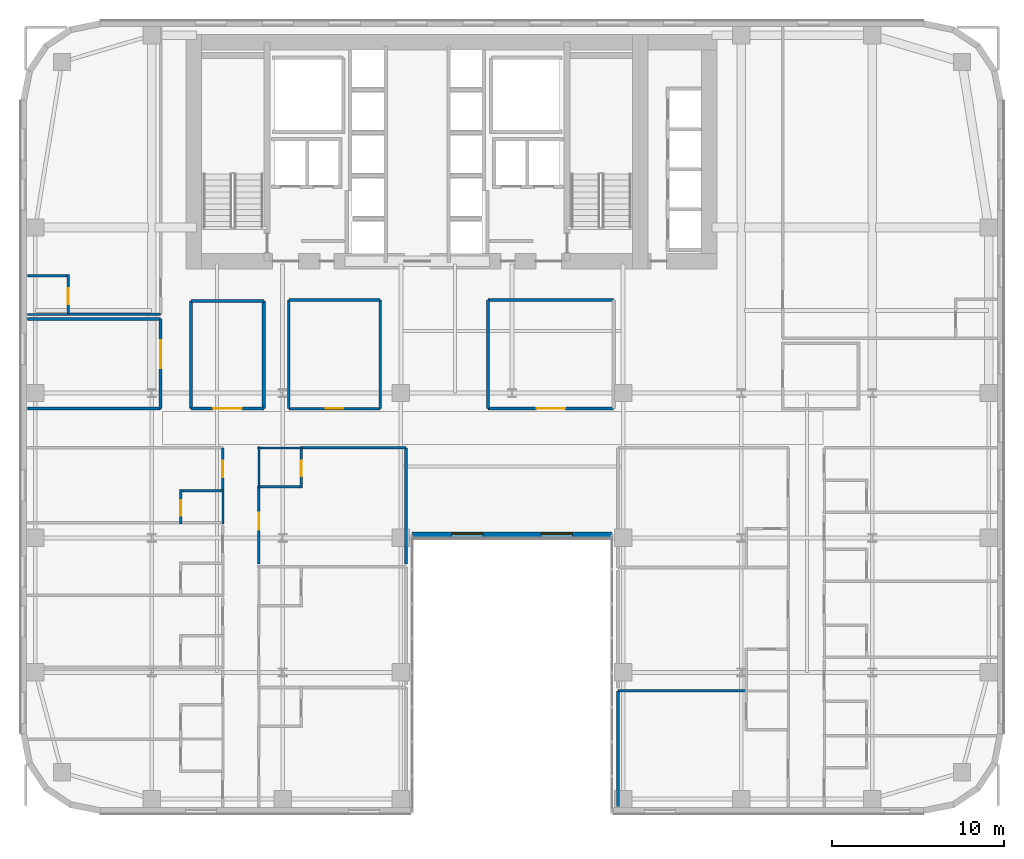
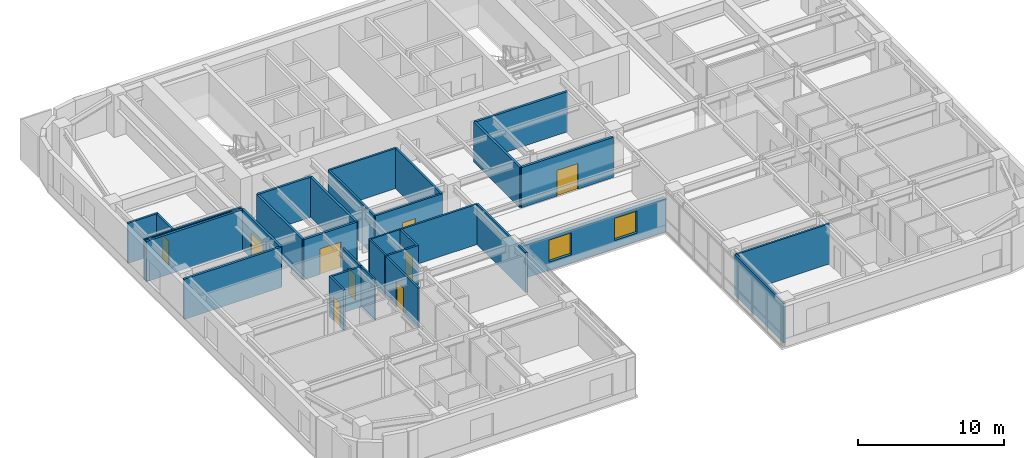
# One storey, part 15 of 25: 32 walls, 9 doors, 2 windows, 11 openings.
"""IFC4 building model written with IfcOpenShell, lengths in metres."""

from ifc_helpers import new_model, si_unit, direction, frame, frame_2d, origin, place, context, subcontext, project, spatial, rectangle, extrude, source, transform, mapped, material, layer, layer_set, type_object, type_shapes, element, fill, save


model = new_model("IFC4")

# Units and contexts
model_context = context("Model", 3, precision=1e-05, world=origin(), true_north=direction((0.0, 1.0)))
body_context = subcontext(model_context, "Body", "Model", "MODEL_VIEW")
ifc_project = project(units=[si_unit("LENGTHUNIT", "METRE"), si_unit("AREAUNIT", "SQUARE_METRE"), si_unit("VOLUMEUNIT", "CUBIC_METRE"), si_unit("PLANEANGLEUNIT", "RADIAN"), si_unit("MASSUNIT", "GRAM", prefix="KILO")], contexts=[model_context])

# Site, building, storey
site_placement = place(None, origin())
site = spatial("IfcSite", under=ifc_project, at=site_placement, CompositionType="ELEMENT")
building_placement = place(site_placement, origin())
building = spatial("IfcBuilding", under=site, at=building_placement, Name="Tolvann Quenvar Hotel", CompositionType="ELEMENT")
storey_placement = place(building_placement, frame((0.0, 0.0, 39.10009765625)))
storey = spatial("IfcBuildingStorey", under=building, at=storey_placement, Name="L08", CompositionType="ELEMENT", Elevation=39.10009765625)

# Wall, openings, windows
ifc_material_1 = material(Name="Kiln-fired red and buff architectural clay brickwork and terracotta masonry", Category="masonry")
ifc_layer_1 = layer(ifc_material_1, 0.35009765625)
ifc_layer_set_1 = layer_set([ifc_layer_1], Name="Kiln-fired red and buff architectural clay brickwork and terracotta masonry")
wall_type_1 = type_object("IfcWallType", Name="WALL_EXT_BRICK_350", PredefinedType="SOLIDWALL", material=ifc_layer_set_1)
wall_1_placement = place(storey_placement, frame((22.7099609375, 16.175048828125, 0.0), z_axis=(0.0, 0.0, 1.0), x_axis=(1.0, 0.0, 0.0)))
wall_1 = element("IfcWall", 1, at=wall_1_placement, inside=storey, type_object=wall_type_1, Name="Exterior Chicago Brick Wall L08-E06", PredefinedType="SOLIDWALL", context=body_context, shape_type="SweptSolid", body=[
    extrude(rectangle(XDim=11.580078125, YDim=0.35009765625, at=frame_2d((5.7900390625, 0.0))), origin(), (0.0, 0.0, 1.0), 2.747802734375),
])
opening_1_placement = place(wall_1_placement, frame((2.294921875, 0.0, 0.679931640625)))
opening_1 = element("IfcOpeningElement", 2, at=opening_1_placement, cuts=wall_1, Name="Opening W-03", PredefinedType="OPENING", context=body_context, shape_type="SweptSolid", body=[
    extrude(rectangle(XDim=1.800048828125, YDim=1.85009765625, at=frame_2d((0.89990234375, 0.925048828125))), frame((0.0, 0.18505859375, 0.0), z_axis=(0.0, -1.0, 0.0), x_axis=(1.0, 0.0, 0.0)), (0.0, 0.0, 1.0), 0.3701171875),
])
opening_2_placement = place(wall_1_placement, frame((7.485107421875, 0.0, 0.679931640625)))
opening_2 = element("IfcOpeningElement", 3, at=opening_2_placement, cuts=wall_1, Name="Opening W-03", PredefinedType="OPENING", context=body_context, shape_type="SweptSolid", body=[
    extrude(rectangle(XDim=1.800048828125, YDim=1.85009765625, at=frame_2d((0.89990234375, 0.925048828125))), frame((0.0, 0.18505859375, 0.0), z_axis=(0.0, -1.0, 0.0), x_axis=(1.0, 0.0, 0.0)), (0.0, 0.0, 1.0), 0.3701171875),
])
ifc_material_2 = material(Name="Thermally broken bronze-anodised aluminium frame with double low-E glazing", Category="aluminium")
window_type = type_object("IfcWindowType", Name="WIN_CHI_1800x2050", PartitioningType="TRIPLE_PANEL_HORIZONTAL", PredefinedType="WINDOW", material=ifc_material_2)
shared_shape_1 = source(origin(), body_context, "Body", "SweptSolid", [
    extrude(rectangle(XDim=1.800048828125, YDim=1.85009765625, at=frame_2d((0.89990234375, 0.925048828125))), frame((0.0, 0.090087890625, 0.0), z_axis=(0.0, -1.0, 0.0), x_axis=(1.0, 0.0, 0.0)), (0.0, 0.0, 1.0), 0.06005859375),
])
type_shapes(window_type, [shared_shape_1])
window_1_placement = place(opening_1_placement, origin())
window_1 = element("IfcWindow", 4, at=window_1_placement, inside=storey, type_object=window_type, Name="Chicago Window W-03 (EW-L08-E06-W01)", OverallHeight=1.85009765625, OverallWidth=1.800048828125, PartitioningType="TRIPLE_PANEL_HORIZONTAL", PredefinedType="WINDOW", context=body_context, shape_type="MappedRepresentation", body=[
    mapped(shared_shape_1, transform((0.0, 0.0, 0.0), x_axis=(1.0, 0.0, 0.0), y_axis=(0.0, 1.0, 0.0), z_axis=(0.0, 0.0, 1.0), scale=1.0)),
])
fill(opening_1, window_1)
window_2_placement = place(opening_2_placement, origin())
window_2 = element("IfcWindow", 5, at=window_2_placement, inside=storey, type_object=window_type, Name="Chicago Window W-03 (EW-L08-E06-W02)", OverallHeight=1.85009765625, OverallWidth=1.800048828125, PartitioningType="TRIPLE_PANEL_HORIZONTAL", PredefinedType="WINDOW", context=body_context, shape_type="MappedRepresentation", body=[
    mapped(shared_shape_1, transform((0.0, 0.0, 0.0), x_axis=(1.0, 0.0, 0.0), y_axis=(0.0, 1.0, 0.0), z_axis=(0.0, 0.0, 1.0), scale=1.0)),
])
fill(opening_2, window_2)

# Wall, opening, door
ifc_material_3 = material(Name="Acoustic twin-stud fire-rated gypsum plasterboard partition")
ifc_layer_2 = layer(ifc_material_3, 0.179931640625)
ifc_layer_set_2 = layer_set([ifc_layer_2], Name="Acoustic twin-stud fire-rated gypsum plasterboard partition")
wall_type_2 = type_object("IfcWallType", Name="WALL_PART_ACOUSTIC_180", PredefinedType="PARTITIONING", material=ifc_layer_set_2)
wall_2_placement = place(storey_placement, frame((8.1201171875, 23.5, 0.0), z_axis=(0.0, 0.0, 1.0), x_axis=(0.0, 1.0, 0.0)))
wall_2 = element("IfcWall", 6, at=wall_2_placement, inside=storey, type_object=wall_type_2, Name="Interior Partition PT-SPC-L08-SAL-ENT", PredefinedType="PARTITIONING", context=body_context, shape_type="SweptSolid", body=[
    extrude(rectangle(XDim=5.199951171875, YDim=0.179931640625, at=frame_2d((2.60009765625, 0.0))), origin(), (0.0, 0.0, 1.0), 3.369873046875),
])
opening_3_placement = place(wall_2_placement, frame((2.324951171875, 0.0, 0.0)))
opening_3 = element("IfcOpeningElement", 7, at=opening_3_placement, cuts=wall_2, Name="Opening AD-01", PredefinedType="OPENING", context=body_context, shape_type="SweptSolid", body=[
    extrude(rectangle(XDim=1.64990234375, YDim=2.14990234375, at=frame_2d((0.824951171875, 1.074951171875))), frame((0.0, 0.10009765625, 0.0), z_axis=(0.0, -1.0, 0.0), x_axis=(1.0, 0.0, 0.0)), (0.0, 0.0, 1.0), 0.199951171875),
])
ifc_material_4 = material(Name="Solid-core American oak acoustic fire door leaf in steel frame", Category="steel")
door_type_1 = type_object("IfcDoorType", Name="DOOR_SALON_1650", OperationType="NOTDEFINED", PredefinedType="DOOR", material=ifc_material_4)
shared_shape_2 = source(origin(), body_context, "Body", "SweptSolid", [
    extrude(rectangle(XDim=1.64990234375, YDim=2.14990234375, at=frame_2d((0.824951171875, 1.074951171875))), frame((0.0, 0.02490234375, 0.0), z_axis=(0.0, -1.0, 0.0), x_axis=(1.0, 0.0, 0.0)), (0.0, 0.0, 1.0), 0.050048828125),
])
type_shapes(door_type_1, [shared_shape_2])
door_1_placement = place(opening_3_placement, origin())
door_1 = element("IfcDoor", 8, at=door_1_placement, inside=storey, type_object=door_type_1, Name="Interior Door DOOR-SPC-L08-SAL", OperationType="DOUBLE_DOOR_SINGLE_SWING", OverallHeight=2.14990234375, OverallWidth=1.64990234375, PredefinedType="DOOR", context=body_context, shape_type="MappedRepresentation", body=[
    mapped(shared_shape_2, transform((0.0, 0.0, 0.0), x_axis=(1.0, 0.0, 0.0), y_axis=(0.0, 1.0, 0.0), z_axis=(0.0, 0.0, 1.0), scale=1.0)),
])
fill(opening_3, door_1)

# Walls
for number, where, z_axis, x_axis, name in (
    (9, (0.405029296875, 23.5, 0.0), (0.0, 0.0, 1.0), (1.0, 0.0, 0.0), "Interior Partition PT-SPC-L08-SAL-S"),
    (10, (0.405029296875, 28.699951171875, 0.0), (0.0, 0.0, 1.0), (1.0, 0.0, 0.0), "Interior Partition PT-SPC-L08-SAL-N"),
):
    element("IfcWall", number, at=place(storey_placement, frame(where, z_axis=z_axis, x_axis=x_axis)), inside=storey, type_object=wall_type_2, Name=name, PredefinedType="PARTITIONING", context=body_context, shape_type="SweptSolid", body=[
        extrude(rectangle(XDim=7.715087890625, YDim=0.179931640625, at=frame_2d((3.857421875, 0.0))), origin(), (0.0, 0.0, 1.0), 3.369873046875),
    ])

# Wall, opening, door
wall_3_placement = place(storey_placement, frame((9.8798828125, 23.5, 0.0), z_axis=(0.0, 0.0, 1.0), x_axis=(1.0, 0.0, 0.0)))
wall_3 = element("IfcWall", 11, at=wall_3_placement, inside=storey, type_object=wall_type_2, Name="Interior Partition PT-SPC-L08-MSP-W-S", PredefinedType="PARTITIONING", context=body_context, shape_type="SweptSolid", body=[
    extrude(rectangle(XDim=4.22021484375, YDim=0.179931640625, at=frame_2d((2.110107421875, 0.0))), origin(), (0.0, 0.0, 1.0), 3.369873046875),
])
opening_4_placement = place(wall_3_placement, frame((1.284912109375, 0.0, 0.0)))
opening_4 = element("IfcOpeningElement", 12, at=opening_4_placement, cuts=wall_3, Name="Opening AD-01", PredefinedType="OPENING", context=body_context, shape_type="SweptSolid", body=[
    extrude(rectangle(XDim=1.64990234375, YDim=2.14990234375, at=frame_2d((0.824951171875, 1.074951171875))), frame((0.0, 0.10009765625, 0.0), z_axis=(0.0, -1.0, 0.0), x_axis=(1.0, 0.0, 0.0)), (0.0, 0.0, 1.0), 0.199951171875),
])
door_2_placement = place(opening_4_placement, origin())
door_2 = element("IfcDoor", 13, at=door_2_placement, inside=storey, type_object=door_type_1, Name="Interior Door DOOR-SPC-L08-MSP-W", OperationType="DOUBLE_DOOR_SINGLE_SWING", OverallHeight=2.14990234375, OverallWidth=1.64990234375, PredefinedType="DOOR", context=body_context, shape_type="MappedRepresentation", body=[
    mapped(shared_shape_2, transform((0.0, 0.0, 0.0), x_axis=(1.0, 0.0, 0.0), y_axis=(0.0, 1.0, 0.0), z_axis=(0.0, 0.0, 1.0), scale=1.0)),
])
fill(opening_4, door_2)

# Walls
wall_4_placement = place(storey_placement, frame((9.8798828125, 29.75, 0.0), z_axis=(0.0, 0.0, 1.0), x_axis=(1.0, 0.0, 0.0)))
element("IfcWall", 14, at=wall_4_placement, inside=storey, type_object=wall_type_2, Name="Interior Partition PT-SPC-L08-MSP-W-N", PredefinedType="PARTITIONING", context=body_context, shape_type="SweptSolid", body=[
    extrude(rectangle(XDim=4.22021484375, YDim=0.179931640625, at=frame_2d((2.110107421875, 0.0))), origin(), (0.0, 0.0, 1.0), 3.369873046875),
])
for number, where, z_axis, x_axis, name in (
    (15, (9.8798828125, 23.5, 0.0), (0.0, 0.0, 1.0), (0.0, 1.0, 0.0), "Interior Partition PT-SPC-L08-MSP-W-W"),
    (16, (14.10009765625, 23.5, 0.0), (0.0, 0.0, 1.0), (0.0, 1.0, 0.0), "Interior Partition PT-SPC-L08-MSP-W-E"),
):
    element("IfcWall", number, at=place(storey_placement, frame(where, z_axis=z_axis, x_axis=x_axis)), inside=storey, type_object=wall_type_2, Name=name, PredefinedType="PARTITIONING", context=body_context, shape_type="SweptSolid", body=[
        extrude(rectangle(XDim=6.25, YDim=0.179931640625, at=frame_2d((3.125, 0.0))), origin(), (0.0, 0.0, 1.0), 3.369873046875),
    ])

# Wall, opening, door
wall_5_placement = place(storey_placement, frame((27.10009765625, 23.5, 0.0), z_axis=(0.0, 0.0, 1.0), x_axis=(1.0, 0.0, 0.0)))
wall_5 = element("IfcWall", 17, at=wall_5_placement, inside=storey, type_object=wall_type_2, Name="Interior Partition PT-SPC-L08-MSP-C-S", PredefinedType="PARTITIONING", context=body_context, shape_type="SweptSolid", body=[
    extrude(rectangle(XDim=7.2998046875, YDim=0.179931640625, at=frame_2d((3.64990234375, 0.0))), origin(), (0.0, 0.0, 1.0), 3.369873046875),
])
opening_5_placement = place(wall_5_placement, frame((2.824951171875, 0.0, 0.0)))
opening_5 = element("IfcOpeningElement", 18, at=opening_5_placement, cuts=wall_5, Name="Opening AD-01", PredefinedType="OPENING", context=body_context, shape_type="SweptSolid", body=[
    extrude(rectangle(XDim=1.64990234375, YDim=2.14990234375, at=frame_2d((0.824951171875, 1.074951171875))), frame((0.0, 0.10009765625, 0.0), z_axis=(0.0, -1.0, 0.0), x_axis=(1.0, 0.0, 0.0)), (0.0, 0.0, 1.0), 0.199951171875),
])
door_3_placement = place(opening_5_placement, origin())
door_3 = element("IfcDoor", 19, at=door_3_placement, inside=storey, type_object=door_type_1, Name="Interior Door DOOR-SPC-L08-MSP-C", OperationType="DOUBLE_DOOR_SINGLE_SWING", OverallHeight=2.14990234375, OverallWidth=1.64990234375, PredefinedType="DOOR", context=body_context, shape_type="MappedRepresentation", body=[
    mapped(shared_shape_2, transform((0.0, 0.0, 0.0), x_axis=(1.0, 0.0, 0.0), y_axis=(0.0, 1.0, 0.0), z_axis=(0.0, 0.0, 1.0), scale=1.0)),
])
fill(opening_5, door_3)

# Walls
wall_6_placement = place(storey_placement, frame((27.10009765625, 29.800048828125, 0.0), z_axis=(0.0, 0.0, 1.0), x_axis=(1.0, 0.0, 0.0)))
element("IfcWall", 20, at=wall_6_placement, inside=storey, type_object=wall_type_2, Name="Interior Partition PT-SPC-L08-MSP-C-N", PredefinedType="PARTITIONING", context=body_context, shape_type="SweptSolid", body=[
    extrude(rectangle(XDim=7.2998046875, YDim=0.179931640625, at=frame_2d((3.64990234375, 0.0))), origin(), (0.0, 0.0, 1.0), 3.369873046875),
])
wall_7_placement = place(storey_placement, frame((27.10009765625, 23.5, 0.0), z_axis=(0.0, 0.0, 1.0), x_axis=(0.0, 1.0, 0.0)))
element("IfcWall", 21, at=wall_7_placement, inside=storey, type_object=wall_type_2, Name="Interior Partition PT-SPC-L08-MSP-C-W", PredefinedType="PARTITIONING", context=body_context, shape_type="SweptSolid", body=[
    extrude(rectangle(XDim=6.300048828125, YDim=0.179931640625, at=frame_2d((3.14990234375, 0.0))), origin(), (0.0, 0.0, 1.0), 3.369873046875),
])
ifc_material_5 = material(Name="Moisture-resistant acoustic plumbing wall assembly")
ifc_layer_3 = layer(ifc_material_5, 0.1201171875)
ifc_layer_set_3 = layer_set([ifc_layer_3], Name="Moisture-resistant acoustic plumbing wall assembly")
wall_type_3 = type_object("IfcWallType", Name="WALL_PART_BATH_120", PredefinedType="PLUMBINGWALL", material=ifc_layer_set_3)
wall_8_placement = place(storey_placement, frame((11.72998046875, 16.81005859375, 0.0), z_axis=(0.0, 0.0, 1.0), x_axis=(0.0, 1.0, 0.0)))
element("IfcWall", 22, at=wall_8_placement, inside=storey, type_object=wall_type_3, Name="Non-Rated Plumbing Partition PT-SPC-L08-ENS-WO05-E", PredefinedType="PLUMBINGWALL", context=body_context, shape_type="SweptSolid", body=[
    extrude(rectangle(XDim=1.989990234375, YDim=0.1201171875, at=frame_2d((0.9951171875, 0.0))), origin(), (0.0, 0.0, 1.0), 3.369873046875),
])
wall_9_placement = place(storey_placement, frame((13.75, 21.219970703125, 0.0), z_axis=(0.0, 0.0, 1.0), x_axis=(1.0, 0.0, 0.0)))
element("IfcWall", 23, at=wall_9_placement, inside=storey, type_object=wall_type_3, Name="Non-Rated Plumbing Partition PT-SPC-L08-ENS-WI03-N", PredefinedType="PLUMBINGWALL", context=body_context, shape_type="SweptSolid", body=[
    extrude(rectangle(XDim=2.590087890625, YDim=0.1201171875, at=frame_2d((1.294921875, 0.0))), origin(), (0.0, 0.0, 1.0), 3.369873046875),
])
wall_10_placement = place(storey_placement, frame((13.820068359375, 18.89990234375, 0.0), z_axis=(0.0, 0.0, 1.0), x_axis=(0.0, 1.0, 0.0)))
element("IfcWall", 24, at=wall_10_placement, inside=storey, type_object=wall_type_3, Name="Non-Rated Plumbing Partition PT-SPC-L08-ENS-WI03-W", PredefinedType="PLUMBINGWALL", context=body_context, shape_type="SweptSolid", body=[
    extrude(rectangle(XDim=2.39013671875, YDim=0.1201171875, at=frame_2d((1.195068359375, 0.0))), origin(), (0.0, 0.0, 1.0), 3.369873046875),
])
wall_11_placement = place(storey_placement, frame((0.405029296875, 28.9599609375, 0.0), z_axis=(0.0, 0.0, 1.0), x_axis=(1.0, 0.0, 0.0)))
element("IfcWall", 25, at=wall_11_placement, inside=storey, type_object=wall_type_3, Name="Non-Rated Plumbing Partition PT-SPC-L08-ENS-NW01-S", PredefinedType="PLUMBINGWALL", context=body_context, shape_type="SweptSolid", body=[
    extrude(rectangle(XDim=2.4150390625, YDim=0.1201171875, at=frame_2d((1.20751953125, 0.0))), origin(), (0.0, 0.0, 1.0), 3.369873046875),
])

# Wall, opening, door
ifc_layer_4 = layer(ifc_material_3, 0.14990234375)
ifc_layer_set_4 = layer_set([ifc_layer_4], Name="Acoustic twin-stud fire-rated gypsum plasterboard partition")
wall_type_4 = type_object("IfcWallType", Name="WALL_PART_SUITE_150", PredefinedType="PARTITIONING", material=ifc_layer_set_4)
wall_12_placement = place(storey_placement, frame((9.280029296875, 16.81005859375, 0.0), z_axis=(0.0, 0.0, 1.0), x_axis=(0.0, 1.0, 0.0)))
wall_12 = element("IfcWall", 26, at=wall_12_placement, inside=storey, type_object=wall_type_4, Name="Interior Partition PT-SPC-L08-ENS-WO05-ENT", PredefinedType="PARTITIONING", context=body_context, shape_type="SweptSolid", body=[
    extrude(rectangle(XDim=1.989990234375, YDim=0.14990234375, at=frame_2d((0.9951171875, 0.0))), origin(), (0.0, 0.0, 1.0), 3.369873046875),
])
opening_6_placement = place(wall_12_placement, frame((0.465087890625, 0.0, 0.0)))
opening_6 = element("IfcOpeningElement", 27, at=opening_6_placement, cuts=wall_12, Name="Opening WD-01", PredefinedType="OPENING", context=body_context, shape_type="SweptSolid", body=[
    extrude(rectangle(XDim=0.919921875, YDim=2.010009765625, at=frame_2d((0.4599609375, 1.0048828125))), frame((0.0, 0.0849609375, 0.0), z_axis=(0.0, -1.0, 0.0), x_axis=(1.0, 0.0, 0.0)), (0.0, 0.0, 1.0), 0.169921875),
])
door_type_2 = type_object("IfcDoorType", Name="DOOR_WC_920", OperationType="NOTDEFINED", PredefinedType="DOOR", material=ifc_material_4)
shared_shape_3 = source(origin(), body_context, "Body", "SweptSolid", [
    extrude(rectangle(XDim=0.919921875, YDim=2.010009765625, at=frame_2d((0.4599609375, 1.0048828125))), frame((0.0, 0.02490234375, 0.0), z_axis=(0.0, -1.0, 0.0), x_axis=(1.0, 0.0, 0.0)), (0.0, 0.0, 1.0), 0.050048828125),
])
type_shapes(door_type_2, [shared_shape_3])
door_4_placement = place(opening_6_placement, origin())
door_4 = element("IfcDoor", 28, at=door_4_placement, inside=storey, type_object=door_type_2, Name="Interior Door DOOR-SPC-L08-ENS-WO05", OperationType="SINGLE_SWING_RIGHT", OverallHeight=2.010009765625, OverallWidth=0.919921875, PredefinedType="DOOR", context=body_context, shape_type="MappedRepresentation", body=[
    mapped(shared_shape_3, transform((0.0, 0.0, 0.0), x_axis=(1.0, 0.0, 0.0), y_axis=(0.0, 1.0, 0.0), z_axis=(0.0, 0.0, 1.0), scale=1.0)),
])
fill(opening_6, door_4)

# Wall
wall_13_placement = place(storey_placement, frame((9.2099609375, 18.72998046875, 0.0), z_axis=(0.0, 0.0, 1.0), x_axis=(1.0, 0.0, 0.0)))
element("IfcWall", 29, at=wall_13_placement, inside=storey, type_object=wall_type_4, Name="Interior Partition PT-SPC-L08-ENS-WO05-N", PredefinedType="PARTITIONING", context=body_context, shape_type="SweptSolid", body=[
    extrude(rectangle(XDim=2.590087890625, YDim=0.14990234375, at=frame_2d((1.294921875, 0.0))), origin(), (0.0, 0.0, 1.0), 3.369873046875),
])

# Wall, opening, door
wall_14_placement = place(storey_placement, frame((16.27001953125, 18.89990234375, 0.0), z_axis=(0.0, 0.0, 1.0), x_axis=(0.0, 1.0, 0.0)))
wall_14 = element("IfcWall", 30, at=wall_14_placement, inside=storey, type_object=wall_type_4, Name="Interior Partition PT-SPC-L08-ENS-WI03-ENT", PredefinedType="PARTITIONING", context=body_context, shape_type="SweptSolid", body=[
    extrude(rectangle(XDim=2.39013671875, YDim=0.14990234375, at=frame_2d((1.195068359375, 0.0))), origin(), (0.0, 0.0, 1.0), 3.369873046875),
])
opening_7_placement = place(wall_14_placement, frame((0.6650390625, 0.0, 0.0)))
opening_7 = element("IfcOpeningElement", 31, at=opening_7_placement, cuts=wall_14, Name="Opening WD-01", PredefinedType="OPENING", context=body_context, shape_type="SweptSolid", body=[
    extrude(rectangle(XDim=0.919921875, YDim=2.010009765625, at=frame_2d((0.4599609375, 1.0048828125))), frame((0.0, 0.0849609375, 0.0), z_axis=(0.0, -1.0, 0.0), x_axis=(1.0, 0.0, 0.0)), (0.0, 0.0, 1.0), 0.169921875),
])
door_5_placement = place(opening_7_placement, origin())
door_5 = element("IfcDoor", 32, at=door_5_placement, inside=storey, type_object=door_type_2, Name="Interior Door DOOR-SPC-L08-ENS-WI03", OperationType="SINGLE_SWING_LEFT", OverallHeight=2.010009765625, OverallWidth=0.919921875, PredefinedType="DOOR", context=body_context, shape_type="MappedRepresentation", body=[
    mapped(shared_shape_3, transform((0.0, 0.0, 0.0), x_axis=(1.0, 0.0, 0.0), y_axis=(0.0, 1.0, 0.0), z_axis=(0.0, 0.0, 1.0), scale=1.0)),
])
fill(opening_7, door_5)

# Wall
wall_15_placement = place(storey_placement, frame((13.75, 18.969970703125, 0.0), z_axis=(0.0, 0.0, 1.0), x_axis=(1.0, 0.0, 0.0)))
element("IfcWall", 33, at=wall_15_placement, inside=storey, type_object=wall_type_4, Name="Interior Partition PT-SPC-L08-ENS-WI03-S", PredefinedType="PARTITIONING", context=body_context, shape_type="SweptSolid", body=[
    extrude(rectangle(XDim=2.590087890625, YDim=0.14990234375, at=frame_2d((1.294921875, 0.0))), origin(), (0.0, 0.0, 1.0), 3.369873046875),
])

# Wall, opening, door
wall_16_placement = place(storey_placement, frame((2.75, 28.889892578125, 0.0), z_axis=(0.0, 0.0, 1.0), x_axis=(0.0, 1.0, 0.0)))
wall_16 = element("IfcWall", 34, at=wall_16_placement, inside=storey, type_object=wall_type_4, Name="Interior Partition PT-SPC-L08-ENS-NW01-ENT", PredefinedType="PARTITIONING", context=body_context, shape_type="SweptSolid", body=[
    extrude(rectangle(XDim=2.39013671875, YDim=0.14990234375, at=frame_2d((1.195068359375, 0.0))), origin(), (0.0, 0.0, 1.0), 3.369873046875),
])
opening_8_placement = place(wall_16_placement, frame((0.6650390625, 0.0, 0.0)))
opening_8 = element("IfcOpeningElement", 35, at=opening_8_placement, cuts=wall_16, Name="Opening WD-01", PredefinedType="OPENING", context=body_context, shape_type="SweptSolid", body=[
    extrude(rectangle(XDim=0.919921875, YDim=2.010009765625, at=frame_2d((0.4599609375, 1.0048828125))), frame((0.0, 0.0849609375, 0.0), z_axis=(0.0, -1.0, 0.0), x_axis=(1.0, 0.0, 0.0)), (0.0, 0.0, 1.0), 0.169921875),
])
door_6_placement = place(opening_8_placement, origin())
door_6 = element("IfcDoor", 36, at=door_6_placement, inside=storey, type_object=door_type_2, Name="Interior Door DOOR-SPC-L08-ENS-NW01", OperationType="SINGLE_SWING_RIGHT", OverallHeight=2.010009765625, OverallWidth=0.919921875, PredefinedType="DOOR", context=body_context, shape_type="MappedRepresentation", body=[
    mapped(shared_shape_3, transform((0.0, 0.0, 0.0), x_axis=(1.0, 0.0, 0.0), y_axis=(0.0, 1.0, 0.0), z_axis=(0.0, 0.0, 1.0), scale=1.0)),
])
fill(opening_8, door_6)

# Wall
wall_17_placement = place(storey_placement, frame((0.405029296875, 31.2099609375, 0.0), z_axis=(0.0, 0.0, 1.0), x_axis=(1.0, 0.0, 0.0)))
element("IfcWall", 37, at=wall_17_placement, inside=storey, type_object=wall_type_4, Name="Interior Partition PT-SPC-L08-ENS-NW01-N", PredefinedType="PARTITIONING", context=body_context, shape_type="SweptSolid", body=[
    extrude(rectangle(XDim=2.4150390625, YDim=0.14990234375, at=frame_2d((1.20751953125, 0.0))), origin(), (0.0, 0.0, 1.0), 3.369873046875),
])

# Wall, opening, door
wall_18_placement = place(storey_placement, frame((11.72998046875, 18.81005859375, 0.0), z_axis=(0.0, 0.0, 1.0), x_axis=(0.0, 1.0, 0.0)))
wall_18 = element("IfcWall", 38, at=wall_18_placement, inside=storey, type_object=wall_type_4, Name="Interior Partition PT-SPC-L08-RM-WO05-ENT", PredefinedType="PARTITIONING", context=body_context, shape_type="SweptSolid", body=[
    extrude(rectangle(XDim=2.409912109375, YDim=0.14990234375, at=frame_2d((1.205078125, 0.0))), origin(), (0.0, 0.0, 1.0), 3.369873046875),
])
opening_9_placement = place(wall_18_placement, frame((0.695068359375, 0.0, 0.0)))
opening_9 = element("IfcOpeningElement", 39, at=opening_9_placement, cuts=wall_18, Name="Opening SD-01", PredefinedType="OPENING", context=body_context, shape_type="SweptSolid", body=[
    extrude(rectangle(XDim=0.97998046875, YDim=2.1201171875, at=frame_2d((0.489990234375, 1.06005859375))), frame((0.0, 0.0849609375, 0.0), z_axis=(0.0, -1.0, 0.0), x_axis=(1.0, 0.0, 0.0)), (0.0, 0.0, 1.0), 0.169921875),
])
door_type_3 = type_object("IfcDoorType", Name="DOOR_SUITE_980", OperationType="NOTDEFINED", PredefinedType="DOOR", material=ifc_material_4)
shared_shape_4 = source(origin(), body_context, "Body", "SweptSolid", [
    extrude(rectangle(XDim=0.97998046875, YDim=2.1201171875, at=frame_2d((0.489990234375, 1.06005859375))), frame((0.0, 0.02490234375, 0.0), z_axis=(0.0, -1.0, 0.0), x_axis=(1.0, 0.0, 0.0)), (0.0, 0.0, 1.0), 0.050048828125),
])
type_shapes(door_type_3, [shared_shape_4])
door_7_placement = place(opening_9_placement, origin())
door_7 = element("IfcDoor", 40, at=door_7_placement, inside=storey, type_object=door_type_3, Name="Interior Door DOOR-SPC-L08-RM-WO05", OperationType="SINGLE_SWING_RIGHT", OverallHeight=2.1201171875, OverallWidth=0.97998046875, PredefinedType="DOOR", context=body_context, shape_type="MappedRepresentation", body=[
    mapped(shared_shape_4, transform((0.0, 0.0, 0.0), x_axis=(1.0, 0.0, 0.0), y_axis=(0.0, 1.0, 0.0), z_axis=(0.0, 0.0, 1.0), scale=1.0)),
])
fill(opening_9, door_7)

wall_19_placement = place(storey_placement, frame((13.820068359375, 14.47998046875, 0.0), z_axis=(0.0, 0.0, 1.0), x_axis=(0.0, 1.0, 0.0)))
wall_19 = element("IfcWall", 41, at=wall_19_placement, inside=storey, type_object=wall_type_4, Name="Interior Partition PT-SPC-L08-RM-WI03-ENT", PredefinedType="PARTITIONING", context=body_context, shape_type="SweptSolid", body=[
    extrude(rectangle(XDim=4.409912109375, YDim=0.14990234375, at=frame_2d((2.205078125, 0.0))), origin(), (0.0, 0.0, 1.0), 3.369873046875),
])
opening_10_placement = place(wall_19_placement, frame((1.9951171875, 0.0, 0.0)))
opening_10 = element("IfcOpeningElement", 42, at=opening_10_placement, cuts=wall_19, Name="Opening SD-01", PredefinedType="OPENING", context=body_context, shape_type="SweptSolid", body=[
    extrude(rectangle(XDim=0.97998046875, YDim=2.1201171875, at=frame_2d((0.489990234375, 1.06005859375))), frame((0.0, 0.0849609375, 0.0), z_axis=(0.0, -1.0, 0.0), x_axis=(1.0, 0.0, 0.0)), (0.0, 0.0, 1.0), 0.169921875),
])
door_8_placement = place(opening_10_placement, origin())
door_8 = element("IfcDoor", 43, at=door_8_placement, inside=storey, type_object=door_type_3, Name="Interior Door DOOR-SPC-L08-RM-WI03", OperationType="SINGLE_SWING_LEFT", OverallHeight=2.1201171875, OverallWidth=0.97998046875, PredefinedType="DOOR", context=body_context, shape_type="MappedRepresentation", body=[
    mapped(shared_shape_4, transform((0.0, 0.0, 0.0), x_axis=(1.0, 0.0, 0.0), y_axis=(0.0, 1.0, 0.0), z_axis=(0.0, 0.0, 1.0), scale=1.0)),
])
fill(opening_10, door_8)

# Walls
wall_20_placement = place(storey_placement, frame((22.35009765625, 14.47998046875, 0.0), z_axis=(0.0, 0.0, 1.0), x_axis=(0.0, 1.0, 0.0)))
element("IfcWall", 44, at=wall_20_placement, inside=storey, type_object=wall_type_4, Name="Interior Partition PT-SPC-L08-RM-WI03-E2", PredefinedType="PARTITIONING", context=body_context, shape_type="SweptSolid", body=[
    extrude(rectangle(XDim=6.739990234375, YDim=0.14990234375, at=frame_2d((3.3701171875, 0.0))), origin(), (0.0, 0.0, 1.0), 3.369873046875),
])
wall_21_placement = place(storey_placement, frame((16.2900390625, 21.219970703125, 0.0), z_axis=(0.0, 0.0, 1.0), x_axis=(1.0, 0.0, 0.0)))
element("IfcWall", 45, at=wall_21_placement, inside=storey, type_object=wall_type_4, Name="Interior Partition PT-SPC-L08-RM-WI03-E3", PredefinedType="PARTITIONING", context=body_context, shape_type="SweptSolid", body=[
    extrude(rectangle(XDim=6.06005859375, YDim=0.14990234375, at=frame_2d((3.030029296875, 0.0))), origin(), (0.0, 0.0, 1.0), 3.369873046875),
])
wall_22_placement = place(storey_placement, frame((34.64990234375, 7.1201171875, 0.0), z_axis=(0.0, 0.0, 1.0), x_axis=(1.0, 0.0, 0.0)))
element("IfcWall", 46, at=wall_22_placement, inside=storey, type_object=wall_type_4, Name="Interior Partition PT-SPC-L08-RM-EI01-E5", PredefinedType="PARTITIONING", context=body_context, shape_type="SweptSolid", body=[
    extrude(rectangle(XDim=7.41015625, YDim=0.14990234375, at=frame_2d((3.705078125, 0.0))), origin(), (0.0, 0.0, 1.0), 3.369873046875),
])
wall_23_placement = place(storey_placement, frame((34.64990234375, 0.405029296875, 0.0), z_axis=(0.0, 0.0, 1.0), x_axis=(0.0, 1.0, 0.0)))
element("IfcWall", 47, at=wall_23_placement, inside=storey, type_object=wall_type_4, Name="Interior Partition PT-SPC-L08-RM-EI01-E6", PredefinedType="PARTITIONING", context=body_context, shape_type="SweptSolid", body=[
    extrude(rectangle(XDim=6.715087890625, YDim=0.14990234375, at=frame_2d((3.357421875, 0.0))), origin(), (0.0, 0.0, 1.0), 3.369873046875),
])
wall_24_placement = place(storey_placement, frame((2.77001953125, 28.9599609375, 0.0), z_axis=(0.0, 0.0, 1.0), x_axis=(1.0, 0.0, 0.0)))
element("IfcWall", 48, at=wall_24_placement, inside=storey, type_object=wall_type_4, Name="Interior Partition PT-SPC-L08-RM-NW01-E3", PredefinedType="PARTITIONING", context=body_context, shape_type="SweptSolid", body=[
    extrude(rectangle(XDim=5.35009765625, YDim=0.14990234375, at=frame_2d((2.675048828125, 0.0))), origin(), (0.0, 0.0, 1.0), 3.369873046875),
])

# Wall, opening, door
wall_25_placement = place(storey_placement, frame((15.550048828125, 23.5, 0.0), z_axis=(0.0, 0.0, 1.0), x_axis=(1.0, 0.0, 0.0)))
wall_25 = element("IfcWall", 49, at=wall_25_placement, inside=storey, type_object=wall_type_4, Name="Interior Partition PT-SPC-L08-MSP-N-S", PredefinedType="PARTITIONING", context=body_context, shape_type="SweptSolid", body=[
    extrude(rectangle(XDim=5.300048828125, YDim=0.14990234375, at=frame_2d((2.64990234375, 0.0))), origin(), (0.0, 0.0, 1.0), 3.369873046875),
])
opening_11_placement = place(wall_25_placement, frame((2.139892578125, 0.0, 0.0)))
opening_11 = element("IfcOpeningElement", 50, at=opening_11_placement, cuts=wall_25, Name="Opening HD-01", PredefinedType="OPENING", context=body_context, shape_type="SweptSolid", body=[
    extrude(rectangle(XDim=1.02001953125, YDim=2.030029296875, at=frame_2d((0.510009765625, 1.01513671875))), frame((0.0, 0.0849609375, 0.0), z_axis=(0.0, -1.0, 0.0), x_axis=(1.0, 0.0, 0.0)), (0.0, 0.0, 1.0), 0.169921875),
])
ifc_material_6 = material(Name="Pressed galvanised steel fire-rated door set", Category="steel")
door_type_4 = type_object("IfcDoorType", Name="DOOR_BOH_1020", OperationType="NOTDEFINED", PredefinedType="DOOR", material=ifc_material_6)
shared_shape_5 = source(origin(), body_context, "Body", "SweptSolid", [
    extrude(rectangle(XDim=1.02001953125, YDim=2.030029296875, at=frame_2d((0.510009765625, 1.01513671875))), frame((0.0, 0.02490234375, 0.0), z_axis=(0.0, -1.0, 0.0), x_axis=(1.0, 0.0, 0.0)), (0.0, 0.0, 1.0), 0.050048828125),
])
type_shapes(door_type_4, [shared_shape_5])
door_9_placement = place(opening_11_placement, origin())
door_9 = element("IfcDoor", 51, at=door_9_placement, inside=storey, type_object=door_type_4, Name="Interior Door DOOR-SPC-L08-MSP-N", OperationType="SINGLE_SWING_LEFT", OverallHeight=2.030029296875, OverallWidth=1.02001953125, PredefinedType="DOOR", context=body_context, shape_type="MappedRepresentation", body=[
    mapped(shared_shape_5, transform((0.0, 0.0, 0.0), x_axis=(1.0, 0.0, 0.0), y_axis=(0.0, 1.0, 0.0), z_axis=(0.0, 0.0, 1.0), scale=1.0)),
])
fill(opening_11, door_9)

# Walls
wall_26_placement = place(storey_placement, frame((15.550048828125, 29.800048828125, 0.0), z_axis=(0.0, 0.0, 1.0), x_axis=(1.0, 0.0, 0.0)))
element("IfcWall", 52, at=wall_26_placement, inside=storey, type_object=wall_type_4, Name="Interior Partition PT-SPC-L08-MSP-N-N", PredefinedType="PARTITIONING", context=body_context, shape_type="SweptSolid", body=[
    extrude(rectangle(XDim=5.300048828125, YDim=0.14990234375, at=frame_2d((2.64990234375, 0.0))), origin(), (0.0, 0.0, 1.0), 3.369873046875),
])
for number, where, z_axis, x_axis, name in (
    (53, (15.550048828125, 23.5, 0.0), (0.0, 0.0, 1.0), (0.0, 1.0, 0.0), "Interior Partition PT-SPC-L08-MSP-N-W"),
    (54, (20.85009765625, 23.5, 0.0), (0.0, 0.0, 1.0), (0.0, 1.0, 0.0), "Interior Partition PT-SPC-L08-MSP-N-E"),
):
    element("IfcWall", number, at=place(storey_placement, frame(where, z_axis=z_axis, x_axis=x_axis)), inside=storey, type_object=wall_type_4, Name=name, PredefinedType="PARTITIONING", context=body_context, shape_type="SweptSolid", body=[
        extrude(rectangle(XDim=6.300048828125, YDim=0.14990234375, at=frame_2d((3.14990234375, 0.0))), origin(), (0.0, 0.0, 1.0), 3.369873046875),
    ])

save(model, "model.ifc")
